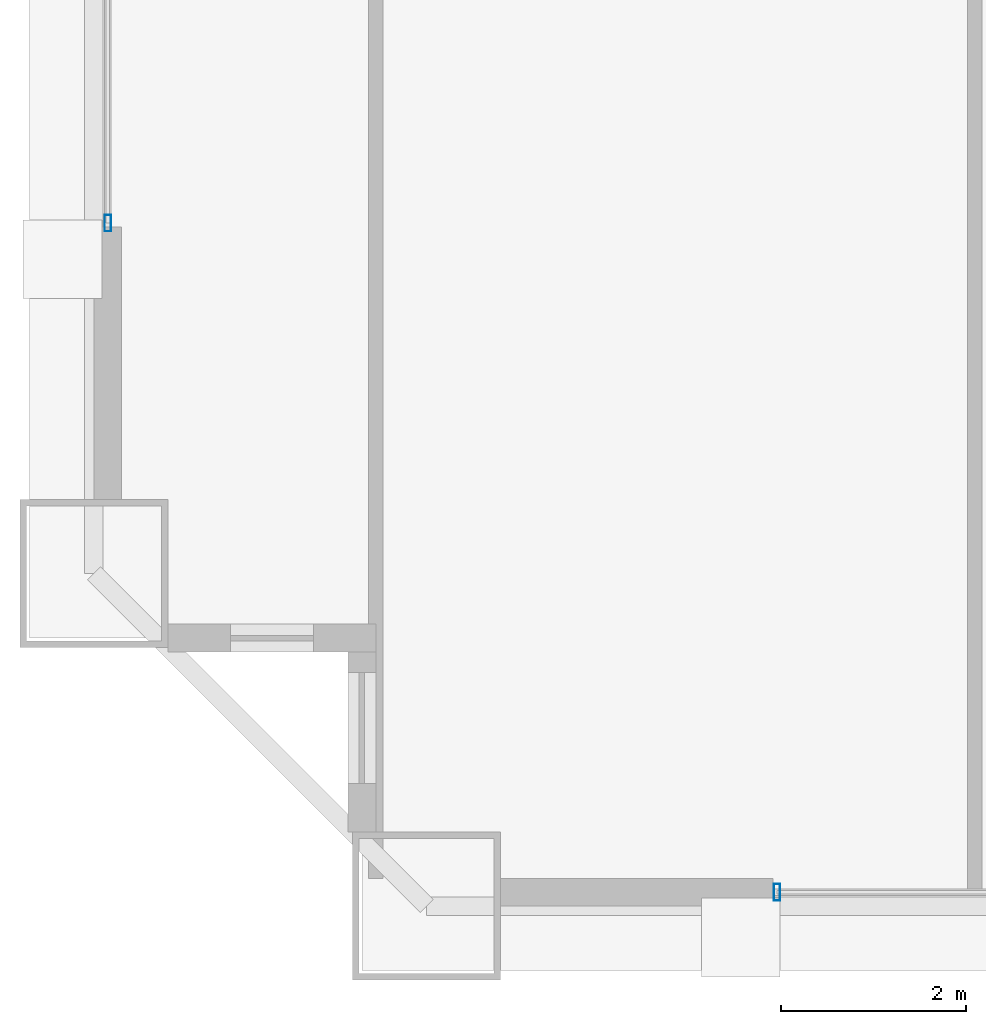
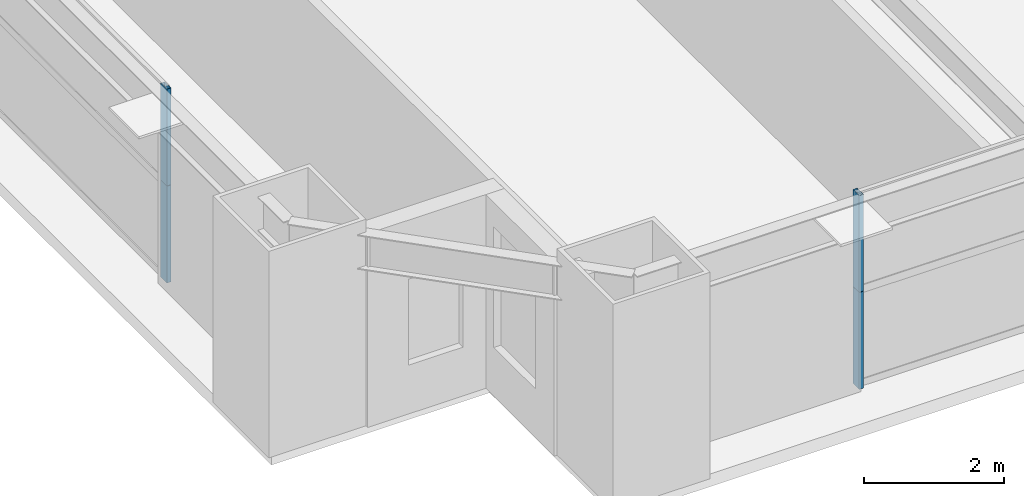
# One storey, part 4 of 39: 4 members, 2 elements without a shape of their own.
"""IFC4 building model written with IfcOpenShell, lengths in metres."""

from ifc_helpers import new_model, si_unit, direction, frame, origin, origin_2d, place, context, subcontext, project, spatial, hollow_rectangle, extrude, source, transform, mapped, material, layer, layer_set, material_profile, profile_set, type_object, element, aggregate, save


model = new_model("IFC4")

# Units and contexts
model_context = context("Model", 3, precision=1e-05, world=origin(), true_north=direction((0.0, 1.0)))
body_context = subcontext(model_context, "Body", "Model", "MODEL_VIEW")
ifc_project = project(units=[si_unit("LENGTHUNIT", "METRE"), si_unit("AREAUNIT", "SQUARE_METRE"), si_unit("VOLUMEUNIT", "CUBIC_METRE"), si_unit("PLANEANGLEUNIT", "RADIAN"), si_unit("MASSUNIT", "GRAM", prefix="KILO"), si_unit("THERMODYNAMICTEMPERATUREUNIT", "KELVIN"), si_unit("POWERUNIT", "WATT")], contexts=[model_context])

# Site, building, storey
site_placement = place(None, origin())
site = spatial("IfcSite", under=ifc_project, at=site_placement, CompositionType="ELEMENT")
building_placement = place(site_placement, origin())
building = spatial("IfcBuilding", under=site, at=building_placement, Name="Yuzanri Waterfront Tower", CompositionType="ELEMENT")
storey_placement = place(building_placement, frame((0.0, 0.0, 156.0)))
storey = spatial("IfcBuildingStorey", under=building, at=storey_placement, Name="L41", CompositionType="ELEMENT", Elevation=156.0)

# Curtain wall, members
ifc_material_1 = material(Name="Anodized Architectural Bronze", Category="metal")
ifc_layer = layer(ifc_material_1, 0.159912109375)
ifc_layer_set = layer_set([ifc_layer], Name="Anodized Architectural Bronze")
curtain_wall_type = type_object("IfcCurtainWallType", Name="Anodized Bronze Hotel Upper-Tier Solar-Control Unitized Curtain Wall 7800", PredefinedType="NOTDEFINED", material=ifc_layer_set)
curtain_wall_1_placement = place(storey_placement, origin())
curtain_wall_1 = element("IfcCurtainWall", 1, at=curtain_wall_1_placement, inside=storey, type_object=curtain_wall_type, Name="L41 Curtain Wall CW-L41-SL", PredefinedType="NOTDEFINED")
ifc_material_2 = material(Name="Anodized Architectural Bronze", Category="metal")
ifc_material_profile = material_profile(ifc_material_2, hollow_rectangle(XDim=0.070068359375, YDim=0.179931640625, WallThickness=0.00390625, at=origin_2d()), Name="CWM 70x180")
ifc_profile_set = profile_set([ifc_material_profile], Name="Anodized Architectural Bronze")
member_type = type_object("IfcMemberType", Name="Anodized Bronze Standard Curtain-Wall Mullion 70x180", PredefinedType="MULLION", material=ifc_profile_set)
shared_shape = source(origin(), body_context, "Body", "SweptSolid", [
    extrude(hollow_rectangle(XDim=0.070068359375, YDim=0.179931640625, WallThickness=0.00390625, at=origin_2d()), origin(), (0.0, 0.0, 1.0), 1.68798828125),
])
member_1_placement = place(storey_placement, frame((20.7900390625, 2.35009765625, 0.0), z_axis=(0.0, 0.0, 1.0), x_axis=(1.0, 0.0, 0.0)))
member_1 = element("IfcMember", 2, at=member_1_placement, type_object=member_type, Name="CW-L41-SL Lower Mullion 00", PredefinedType="MULLION", context=body_context, shape_type="MappedRepresentation", body=[
    mapped(shared_shape, transform((0.0, 0.0, 0.0), scale=1.0)),
])
member_2_placement = place(storey_placement, frame((20.7900390625, 2.35009765625, 1.69189453125), z_axis=(0.0, 0.0, 1.0), x_axis=(1.0, 0.0, 0.0)))
member_2 = element("IfcMember", 3, at=member_2_placement, type_object=member_type, Name="CW-L41-SL Upper Mullion 00", PredefinedType="MULLION", context=body_context, shape_type="MappedRepresentation", body=[
    mapped(shared_shape, transform((0.0, 0.0, 0.0), scale=1.0)),
])
aggregate(curtain_wall_1, [member_1, member_2])

curtain_wall_2_placement = place(storey_placement, origin())
curtain_wall_2 = element("IfcCurtainWall", 4, at=curtain_wall_2_placement, inside=storey, type_object=curtain_wall_type, Name="L41 Curtain Wall CW-L41-WL", PredefinedType="NOTDEFINED")
member_3_placement = place(storey_placement, frame((13.550048828125, 9.590087890625, 0.0), z_axis=(0.0, 0.0, 1.0), x_axis=(1.0, 0.0, 0.0)))
member_3 = element("IfcMember", 5, at=member_3_placement, type_object=member_type, Name="CW-L41-WL Lower Mullion 00", PredefinedType="MULLION", context=body_context, shape_type="MappedRepresentation", body=[
    mapped(shared_shape, transform((0.0, 0.0, 0.0), scale=1.0)),
])
member_4_placement = place(storey_placement, frame((13.550048828125, 9.590087890625, 1.69189453125), z_axis=(0.0, 0.0, 1.0), x_axis=(1.0, 0.0, 0.0)))
member_4 = element("IfcMember", 6, at=member_4_placement, type_object=member_type, Name="CW-L41-WL Upper Mullion 00", PredefinedType="MULLION", context=body_context, shape_type="MappedRepresentation", body=[
    mapped(shared_shape, transform((0.0, 0.0, 0.0), scale=1.0)),
])
aggregate(curtain_wall_2, [member_3, member_4])

save(model, "model.ifc")
